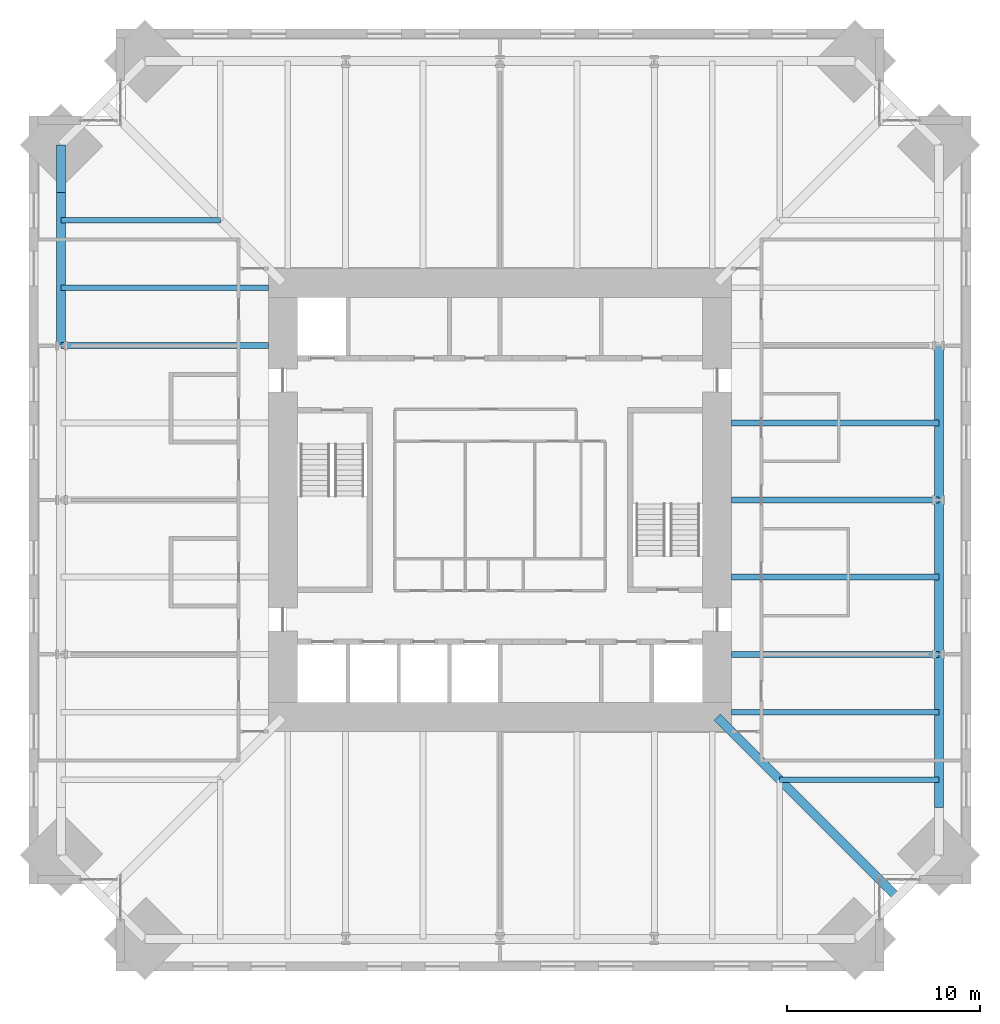
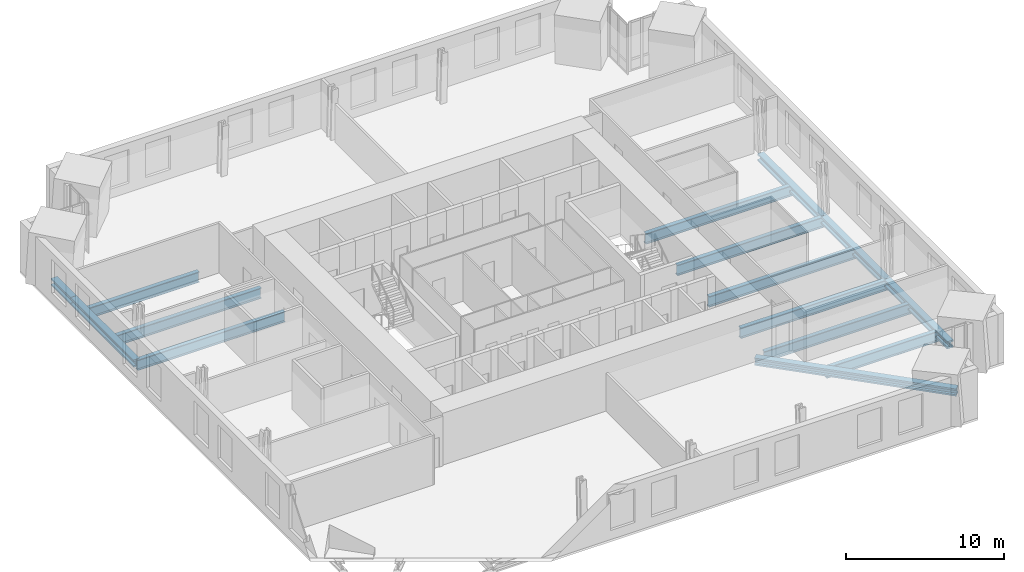
# One storey, part 5 of 15: 10 beams, 5 members.
"""IFC4 building model written with IfcOpenShell, lengths in metres."""

from ifc_helpers import new_model, si_unit, direction, frame, origin, origin_2d, place, context, subcontext, project, spatial, i_section, extrude, material, material_profile, profile_set, type_object, element, save


model = new_model("IFC4")

# Units and contexts
model_context = context("Model", 3, precision=1e-05, world=origin(), true_north=direction((0.0, 1.0)))
body_context = subcontext(model_context, "Body", "Model", "MODEL_VIEW")
ifc_project = project(units=[si_unit("LENGTHUNIT", "METRE"), si_unit("AREAUNIT", "SQUARE_METRE"), si_unit("VOLUMEUNIT", "CUBIC_METRE"), si_unit("PLANEANGLEUNIT", "RADIAN"), si_unit("MASSUNIT", "GRAM", prefix="KILO")], contexts=[model_context])

# Site, building, storey
site_placement = place(None, origin())
site = spatial("IfcSite", under=ifc_project, at=site_placement, CompositionType="ELEMENT")
building_placement = place(site_placement, origin())
building = spatial("IfcBuilding", under=site, at=building_placement, Name="Peilmerk Tower", CompositionType="ELEMENT")
storey_placement = place(building_placement, frame((0.0, 0.0, 201.800048828125)))
storey = spatial("IfcBuildingStorey", under=building, at=storey_placement, Name="L43", CompositionType="ELEMENT", Elevation=201.800048828125)

# Beams
ifc_material = material(Name="Steel S460", Category="steel")
ifc_material_profile_1 = material_profile(ifc_material, i_section(OverallWidth=0.302978515625, OverallDepth=0.81396484375, WebThickness=0.02099609375, FlangeThickness=0.0400390625, at=origin_2d()), Name="HEM 800")
ifc_profile_set_1 = profile_set([ifc_material_profile_1], Name="Steel S460")
beam_type_1 = type_object("IfcBeamType", Name="B26 HEM 800 floor beam", PredefinedType="BEAM", material=ifc_profile_set_1)
for number, where, z_axis, x_axis, name in (
    (1, (12.0, -11.0, -0.5771484375), (1.0, 0.0, 0.0), (0.0, 1.0, 0.0), "Floor beam L43"),
    (2, (12.0, -8.0, -0.5771484375), (1.0, 0.0, 0.0), (0.0, 1.0, 0.0), "Floor beam L43"),
    (3, (12.0, -4.0, -0.5771484375), (1.0, 0.0, 0.0), (0.0, 1.0, 0.0), "Floor beam L43"),
    (4, (12.0, 0.0, -0.5771484375), (1.0, 0.0, 0.0), (0.0, 1.0, 0.0), "Floor beam L43"),
    (5, (12.0, 4.0, -0.5771484375), (1.0, 0.0, 0.0), (0.0, 1.0, 0.0), "Floor beam L43"),
    (6, (-12.0, 11.0, -0.5771484375), (-1.0, 0.0, 0.0), (0.0, -1.0, 0.0), "Floor beam L43"),
    (7, (-12.0, 8.0, -0.5771484375), (-1.0, 0.0, 0.0), (0.0, -1.0, 0.0), "Floor beam L43"),
):
    element("IfcBeam", number, at=place(storey_placement, frame(where, z_axis=z_axis, x_axis=x_axis)), inside=storey, type_object=beam_type_1, Name=name, PredefinedType="BEAM", context=body_context, shape_type="SweptSolid", body=[
        extrude(i_section(OverallWidth=0.302978515625, OverallDepth=0.81396484375, WebThickness=0.02099609375, FlangeThickness=0.0400390625, at=origin_2d()), origin(), (0.0, 0.0, 1.0), 10.759765625),
    ])
for number, where, z_axis, x_axis, name in (
    (8, (14.5, -14.5, -0.5771484375), (1.0, 0.0, 0.0), (0.0, 1.0, 0.0), "Floor beam L43"),
    (9, (-14.5, 14.5, -0.5771484375), (-1.0, 0.0, 0.0), (0.0, -1.0, 0.0), "Floor beam L43"),
):
    element("IfcBeam", number, at=place(storey_placement, frame(where, z_axis=z_axis, x_axis=x_axis)), inside=storey, type_object=beam_type_1, Name=name, PredefinedType="BEAM", context=body_context, shape_type="SweptSolid", body=[
        extrude(i_section(OverallWidth=0.302978515625, OverallDepth=0.81396484375, WebThickness=0.02099609375, FlangeThickness=0.0400390625, at=origin_2d()), origin(), (0.0, 0.0, 1.0), 8.259765625),
    ])
ifc_material_profile_2 = material_profile(ifc_material, i_section(OverallWidth=0.4541015625, OverallDepth=0.569091796875, WebThickness=0.077880859375, FlangeThickness=0.125, at=origin_2d()), Name="HD 400x1086")
ifc_profile_set_2 = profile_set([ifc_material_profile_2], Name="Steel S460")
beam_type_2 = type_object("IfcBeamType", Name="B9 HD 400x1086 corner girder", PredefinedType="BEAM", material=ifc_profile_set_2)
beam_placement = place(storey_placement, frame((11.25, -11.25, -0.45458984375), z_axis=(0.707106781187, -0.707106781187, 0.0), x_axis=(0.707106781187, 0.707106781187, 0.0)))
element("IfcBeam", 10, at=beam_placement, inside=storey, type_object=beam_type_2, Name="Corner girder L43", PredefinedType="BEAM", context=body_context, shape_type="SweptSolid", body=[
    extrude(i_section(OverallWidth=0.4541015625, OverallDepth=0.569091796875, WebThickness=0.077880859375, FlangeThickness=0.125, at=origin_2d()), origin(), (0.0, 0.0, 1.0), 13.201171875),
])

# Members
ifc_material_profile_3 = material_profile(ifc_material, i_section(OverallWidth=0.4541015625, OverallDepth=0.569091796875, WebThickness=0.077880859375, FlangeThickness=0.125, at=origin_2d()), Name="HD 400x1086")
ifc_profile_set_3 = profile_set([ifc_material_profile_3], Name="Steel S460")
member_type = type_object("IfcMemberType", Name="M1 HD 400x1086 belt truss chord", PredefinedType="CHORD", material=ifc_profile_set_3)
member_1_placement = place(storey_placement, frame((22.759765625, -15.949951171875, -0.45458984375), z_axis=(0.0, 1.0, 0.0), x_axis=(-1.0, 0.0, 0.0)))
element("IfcMember", 11, at=member_1_placement, inside=storey, type_object=member_type, Name="Belt truss chord L43", PredefinedType="CHORD", context=body_context, shape_type="SweptSolid", body=[
    extrude(i_section(OverallWidth=0.4541015625, OverallDepth=0.569091796875, WebThickness=0.077880859375, FlangeThickness=0.125, at=origin_2d()), origin(), (0.0, 0.0, 1.0), 7.949951171875),
])
for number, where, z_axis, x_axis, name in (
    (12, (22.759765625, -8.0, -0.45458984375), (0.0, 1.0, 0.0), (-1.0, 0.0, 0.0), "Belt truss chord L43"),
    (13, (22.759765625, 0.0, -0.45458984375), (0.0, 1.0, 0.0), (-1.0, 0.0, 0.0), "Belt truss chord L43"),
):
    element("IfcMember", number, at=place(storey_placement, frame(where, z_axis=z_axis, x_axis=x_axis)), inside=storey, type_object=member_type, Name=name, PredefinedType="CHORD", context=body_context, shape_type="SweptSolid", body=[
        extrude(i_section(OverallWidth=0.4541015625, OverallDepth=0.569091796875, WebThickness=0.077880859375, FlangeThickness=0.125, at=origin_2d()), origin(), (0.0, 0.0, 1.0), 8.0),
    ])
member_2_placement = place(storey_placement, frame((-22.759765625, 18.40966796875, -0.45458984375), z_axis=(0.0, -1.0, 0.0), x_axis=(1.0, 0.0, 0.0)))
element("IfcMember", 14, at=member_2_placement, inside=storey, type_object=member_type, Name="Belt truss chord L43", PredefinedType="CHORD", context=body_context, shape_type="SweptSolid", body=[
    extrude(i_section(OverallWidth=0.4541015625, OverallDepth=0.569091796875, WebThickness=0.077880859375, FlangeThickness=0.125, at=origin_2d()), origin(), (0.0, 0.0, 1.0), 2.459716796875),
])
member_3_placement = place(storey_placement, frame((-22.759765625, 15.949951171875, -0.45458984375), z_axis=(0.0, -1.0, 0.0), x_axis=(1.0, 0.0, 0.0)))
element("IfcMember", 15, at=member_3_placement, inside=storey, type_object=member_type, Name="Belt truss chord L43", PredefinedType="CHORD", context=body_context, shape_type="SweptSolid", body=[
    extrude(i_section(OverallWidth=0.4541015625, OverallDepth=0.569091796875, WebThickness=0.077880859375, FlangeThickness=0.125, at=origin_2d()), origin(), (0.0, 0.0, 1.0), 7.949951171875),
])

save(model, "model.ifc")
